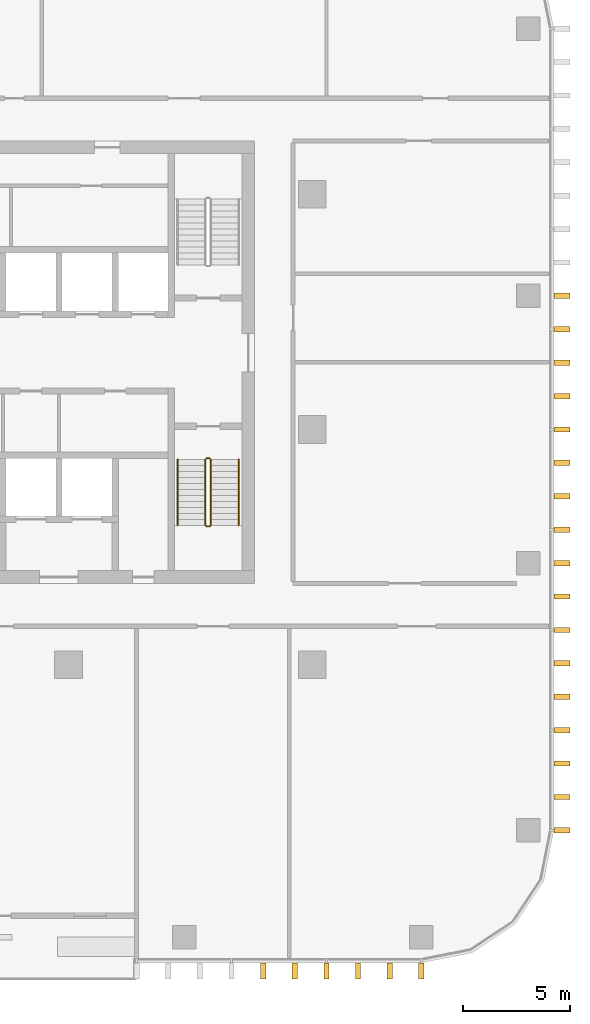
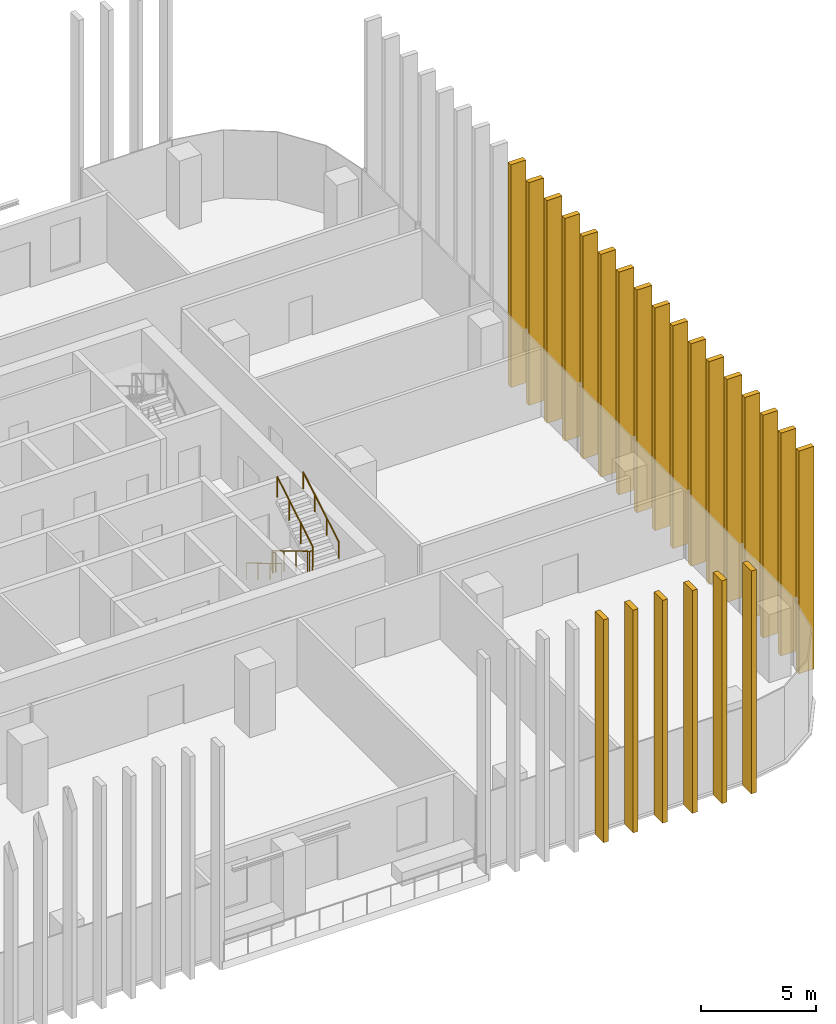
# One storey, part 13 of 16: 23 shading devices, 5 railings.
"""IFC4 building model written with IfcOpenShell, lengths in metres."""

from ifc_helpers import new_model, si_unit, direction, frame, origin, origin_2d, place, context, subcontext, project, spatial, rectangle, circle, extrude, material, type_object, element, save


model = new_model("IFC4")

# Units and contexts
model_context = context("Model", 3, precision=1e-05, world=origin(), true_north=direction((0.0, 1.0)))
body_context = subcontext(model_context, "Body", "Model", "MODEL_VIEW")
ifc_project = project(units=[si_unit("LENGTHUNIT", "METRE"), si_unit("AREAUNIT", "SQUARE_METRE"), si_unit("VOLUMEUNIT", "CUBIC_METRE"), si_unit("PLANEANGLEUNIT", "RADIAN"), si_unit("MASSUNIT", "GRAM", prefix="KILO")], contexts=[model_context])

# Site, building, storey
site_placement = place(None, origin())
site = spatial("IfcSite", under=ifc_project, at=site_placement, CompositionType="ELEMENT")
building_placement = place(site_placement, origin())
building = spatial("IfcBuilding", under=site, at=building_placement, Name="Mopane Tessera Tower", CompositionType="ELEMENT")
storey_placement = place(building_placement, frame((0.0, 0.0, 247.0)))
storey = spatial("IfcBuildingStorey", under=building, at=storey_placement, Name="L53", CompositionType="ELEMENT", Elevation=247.0)

# Shading devices
ifc_material_1 = material(Name="Glazed ceramic tile")
shading_device_type = type_object("IfcShadingDeviceType", Name="Ceramic tile fin 750 x 250 mm", PredefinedType="USERDEFINED", material=ifc_material_1)
for number, where, z_axis, x_axis, name in (
    (1, (14.800048828125, -25.324951171875, -0.39990234375), (0.0, 0.0, 1.0), (1.0, 0.0, 0.0), "e:fin:L53:S:8:1"),
    (2, (16.280029296875, -25.324951171875, -0.39990234375), (0.0, 0.0, 1.0), (1.0, 0.0, 0.0), "e:fin:L53:S:8:2"),
    (3, (17.760009765625, -25.324951171875, -0.39990234375), (0.0, 0.0, 1.0), (1.0, 0.0, 0.0), "e:fin:L53:S:9:0"),
    (4, (19.239990234375, -25.324951171875, -0.39990234375), (0.0, 0.0, 1.0), (1.0, 0.0, 0.0), "e:fin:L53:S:9:1"),
    (5, (20.719970703125, -25.324951171875, -0.39990234375), (0.0, 0.0, 1.0), (1.0, 0.0, 0.0), "e:fin:L53:S:9:2"),
    (6, (22.199951171875, -25.324951171875, -0.39990234375), (0.0, 0.0, 1.0), (1.0, 0.0, 0.0), "e:fin:L53:S:9:3"),
    (7, (28.77490234375, -18.75, -0.39990234375), (0.0, 0.0, 1.0), (0.0, 1.0, 0.0), "e:fin:L53:E:0:0"),
    (8, (28.77490234375, -17.1875, -0.39990234375), (0.0, 0.0, 1.0), (0.0, 1.0, 0.0), "e:fin:L53:E:0:1"),
    (9, (28.77490234375, -15.625, -0.39990234375), (0.0, 0.0, 1.0), (0.0, 1.0, 0.0), "e:fin:L53:E:0:2"),
    (10, (28.77490234375, -14.0625, -0.39990234375), (0.0, 0.0, 1.0), (0.0, 1.0, 0.0), "e:fin:L53:E:1:0"),
    (11, (28.77490234375, -12.5, -0.39990234375), (0.0, 0.0, 1.0), (0.0, 1.0, 0.0), "e:fin:L53:E:1:1"),
    (12, (28.77490234375, -10.9375, -0.39990234375), (0.0, 0.0, 1.0), (0.0, 1.0, 0.0), "e:fin:L53:E:1:2"),
    (13, (28.77490234375, -9.375, -0.39990234375), (0.0, 0.0, 1.0), (0.0, 1.0, 0.0), "e:fin:L53:E:2:0"),
    (14, (28.77490234375, -7.8125, -0.39990234375), (0.0, 0.0, 1.0), (0.0, 1.0, 0.0), "e:fin:L53:E:2:1"),
    (15, (28.77490234375, -6.25, -0.39990234375), (0.0, 0.0, 1.0), (0.0, 1.0, 0.0), "e:fin:L53:E:2:2"),
    (16, (28.77490234375, -4.6875, -0.39990234375), (0.0, 0.0, 1.0), (0.0, 1.0, 0.0), "e:fin:L53:E:3:0"),
    (17, (28.77490234375, -3.125, -0.39990234375), (0.0, 0.0, 1.0), (0.0, 1.0, 0.0), "e:fin:L53:E:3:1"),
    (18, (28.77490234375, -1.5625, -0.39990234375), (0.0, 0.0, 1.0), (0.0, 1.0, 0.0), "e:fin:L53:E:3:2"),
    (19, (28.77490234375, 0.0, -0.39990234375), (0.0, 0.0, 1.0), (0.0, 1.0, 0.0), "e:fin:L53:E:4:0"),
    (20, (28.77490234375, 1.5625, -0.39990234375), (0.0, 0.0, 1.0), (0.0, 1.0, 0.0), "e:fin:L53:E:4:1"),
    (21, (28.77490234375, 3.125, -0.39990234375), (0.0, 0.0, 1.0), (0.0, 1.0, 0.0), "e:fin:L53:E:4:2"),
    (22, (28.77490234375, 4.6875, -0.39990234375), (0.0, 0.0, 1.0), (0.0, 1.0, 0.0), "e:fin:L53:E:5:0"),
    (23, (28.77490234375, 6.25, -0.39990234375), (0.0, 0.0, 1.0), (0.0, 1.0, 0.0), "e:fin:L53:E:5:1"),
):
    element("IfcShadingDevice", number, at=place(storey_placement, frame(where, z_axis=z_axis, x_axis=x_axis)), inside=storey, type_object=shading_device_type, Name=name, ObjectType="FIN", PredefinedType="USERDEFINED", context=body_context, shape_type="SweptSolid", body=[
        extrude(rectangle(XDim=0.25, YDim=0.75, at=origin_2d()), origin(), (0.0, 0.0, 1.0), 11.800048828125),
    ])

# Railings
ifc_material_2 = material(Name="Powder-coated steel balustrade", Category="steel")
railing_type_1 = type_object("IfcRailingType", Name="Escape stair guard 1100 mm", PredefinedType="GUARDRAIL", material=ifc_material_2)
railing_1_placement = place(storey_placement, frame((12.10009765625, -1.39990234375, 0.166748046875)))
element("IfcRailing", 24, at=railing_1_placement, inside=storey, type_object=railing_type_1, Name="L53 ST3 stair guard 1", PredefinedType="GUARDRAIL", context=body_context, shape_type="SweptSolid", body=[
    extrude(circle(Radius=0.02392578125, at=origin_2d()), frame((0.0, 0.0, 1.076171875), z_axis=(0.0, -0.859308565015, 0.511457515432), x_axis=(1.0, 0.0, 0.0)), (0.0, 0.0, 1.0), 3.58447265625),
    extrude(circle(Radius=0.02392578125, at=origin_2d()), frame((0.0, -3.080078125, 2.9091796875), z_axis=(0.705375805398, -0.708833529934, 0.0), x_axis=(0.708833529934, 0.705375805398, 0.0)), (0.0, 0.0, 1.0), 0.070556640625),
    extrude(circle(Radius=0.02392578125, at=origin_2d()), frame((0.0498046875, -3.130126953125, 2.9091796875), z_axis=(1.0, 0.0, 0.0), x_axis=(0.0, 1.0, 0.0)), (0.0, 0.0, 1.0), 0.150146484375),
    extrude(circle(Radius=0.02099609375, at=origin_2d()), origin(), (0.0, 0.0, 1.0), 1.052001953125),
    extrude(circle(Radius=0.02099609375, at=origin_2d()), frame((0.0, -1.026611328125, 0.611083984375)), (0.0, 0.0, 1.0), 1.052001953125),
    extrude(circle(Radius=0.02099609375, at=origin_2d()), frame((0.0, -2.053466796875, 1.22216796875)), (0.0, 0.0, 1.0), 1.052001953125),
    extrude(circle(Radius=0.02099609375, at=origin_2d()), frame((0.0, -3.080078125, 1.833251953125)), (0.0, 0.0, 1.0), 1.052001953125),
    extrude(circle(Radius=0.02099609375, at=origin_2d()), frame((0.0498046875, -3.130126953125, 1.833251953125)), (0.0, 0.0, 1.0), 1.052001953125),
    extrude(circle(Radius=0.02099609375, at=origin_2d()), frame((0.199951171875, -3.130126953125, 1.833251953125)), (0.0, 0.0, 1.0), 1.052001953125),
])
railing_2_placement = place(storey_placement, frame((12.35009765625, -4.47998046875, 2.166748046875)))
element("IfcRailing", 25, at=railing_2_placement, inside=storey, type_object=railing_type_1, Name="L53 ST3 stair guard 2", PredefinedType="GUARDRAIL", context=body_context, shape_type="SweptSolid", body=[
    extrude(circle(Radius=0.02392578125, at=origin_2d()), frame((0.0, 0.0, 1.076171875), z_axis=(0.0, 0.859308565015, 0.511457515432), x_axis=(-1.0, 0.0, 0.0)), (0.0, 0.0, 1.0), 3.58447265625),
    extrude(circle(Radius=0.02099609375, at=origin_2d()), origin(), (0.0, 0.0, 1.0), 1.052001953125),
    extrude(circle(Radius=0.02099609375, at=origin_2d()), frame((0.0, 1.026611328125, 0.611083984375)), (0.0, 0.0, 1.0), 1.052001953125),
    extrude(circle(Radius=0.02099609375, at=origin_2d()), frame((0.0, 2.053466796875, 1.22216796875)), (0.0, 0.0, 1.0), 1.052001953125),
    extrude(circle(Radius=0.02099609375, at=origin_2d()), frame((0.0, 3.080078125, 1.833251953125)), (0.0, 0.0, 1.0), 1.052001953125),
])
railing_3_placement = place(storey_placement, frame((12.14990234375, -1.35009765625, 0.0)))
element("IfcRailing", 26, at=railing_3_placement, inside=storey, type_object=railing_type_1, Name="L53 ST3 stair guard 3", PredefinedType="GUARDRAIL", context=body_context, shape_type="SweptSolid", body=[
    extrude(circle(Radius=0.02392578125, at=origin_2d()), frame((0.0, 0.0, 1.076171875), z_axis=(1.0, 0.0, 0.0), x_axis=(0.0, 1.0, 0.0)), (0.0, 0.0, 1.0), 0.150146484375),
    extrude(circle(Radius=0.02099609375, at=origin_2d()), origin(), (0.0, 0.0, 1.0), 1.052001953125),
    extrude(circle(Radius=0.02099609375, at=origin_2d()), frame((0.150146484375, 0.0, 0.0)), (0.0, 0.0, 1.0), 1.052001953125),
])
ifc_material_3 = material(Name="Powder-coated steel balustrade", Category="steel")
railing_type_2 = type_object("IfcRailingType", Name="Escape stair handrail 900 mm", PredefinedType="HANDRAIL", material=ifc_material_3)
railing_4_placement = place(storey_placement, frame((10.800048828125, -1.39990234375, 0.166748046875)))
element("IfcRailing", 27, at=railing_4_placement, inside=storey, type_object=railing_type_2, Name="L53 ST3 stair handrail 1", PredefinedType="HANDRAIL", context=body_context, shape_type="SweptSolid", body=[
    extrude(circle(Radius=0.02392578125, at=origin_2d()), frame((0.0, 0.0, 0.8759765625), z_axis=(0.0, -0.859308565015, 0.511457515432), x_axis=(1.0, 0.0, 0.0)), (0.0, 0.0, 1.0), 3.58447265625),
    extrude(circle(Radius=0.02099609375, at=origin_2d()), origin(), (0.0, 0.0, 1.0), 0.851806640625),
    extrude(circle(Radius=0.02099609375, at=origin_2d()), frame((0.0, -1.026611328125, 0.611083984375)), (0.0, 0.0, 1.0), 0.851806640625),
    extrude(circle(Radius=0.02099609375, at=origin_2d()), frame((0.0, -2.053466796875, 1.22216796875)), (0.0, 0.0, 1.0), 0.851806640625),
    extrude(circle(Radius=0.02099609375, at=origin_2d()), frame((0.0, -3.080078125, 1.833251953125)), (0.0, 0.0, 1.0), 0.851806640625),
])
railing_5_placement = place(storey_placement, frame((13.64990234375, -4.47998046875, 2.166748046875)))
element("IfcRailing", 28, at=railing_5_placement, inside=storey, type_object=railing_type_2, Name="L53 ST3 stair handrail 2", PredefinedType="HANDRAIL", context=body_context, shape_type="SweptSolid", body=[
    extrude(circle(Radius=0.02392578125, at=origin_2d()), frame((0.0, 0.0, 0.8759765625), z_axis=(0.0, 0.859308565015, 0.511457515432), x_axis=(-1.0, 0.0, 0.0)), (0.0, 0.0, 1.0), 3.58447265625),
    extrude(circle(Radius=0.02099609375, at=origin_2d()), origin(), (0.0, 0.0, 1.0), 0.851806640625),
    extrude(circle(Radius=0.02099609375, at=origin_2d()), frame((0.0, 1.026611328125, 0.611083984375)), (0.0, 0.0, 1.0), 0.851806640625),
    extrude(circle(Radius=0.02099609375, at=origin_2d()), frame((0.0, 2.053466796875, 1.22216796875)), (0.0, 0.0, 1.0), 0.851806640625),
    extrude(circle(Radius=0.02099609375, at=origin_2d()), frame((0.0, 3.080078125, 1.833251953125)), (0.0, 0.0, 1.0), 0.851806640625),
])

save(model, "model.ifc")
